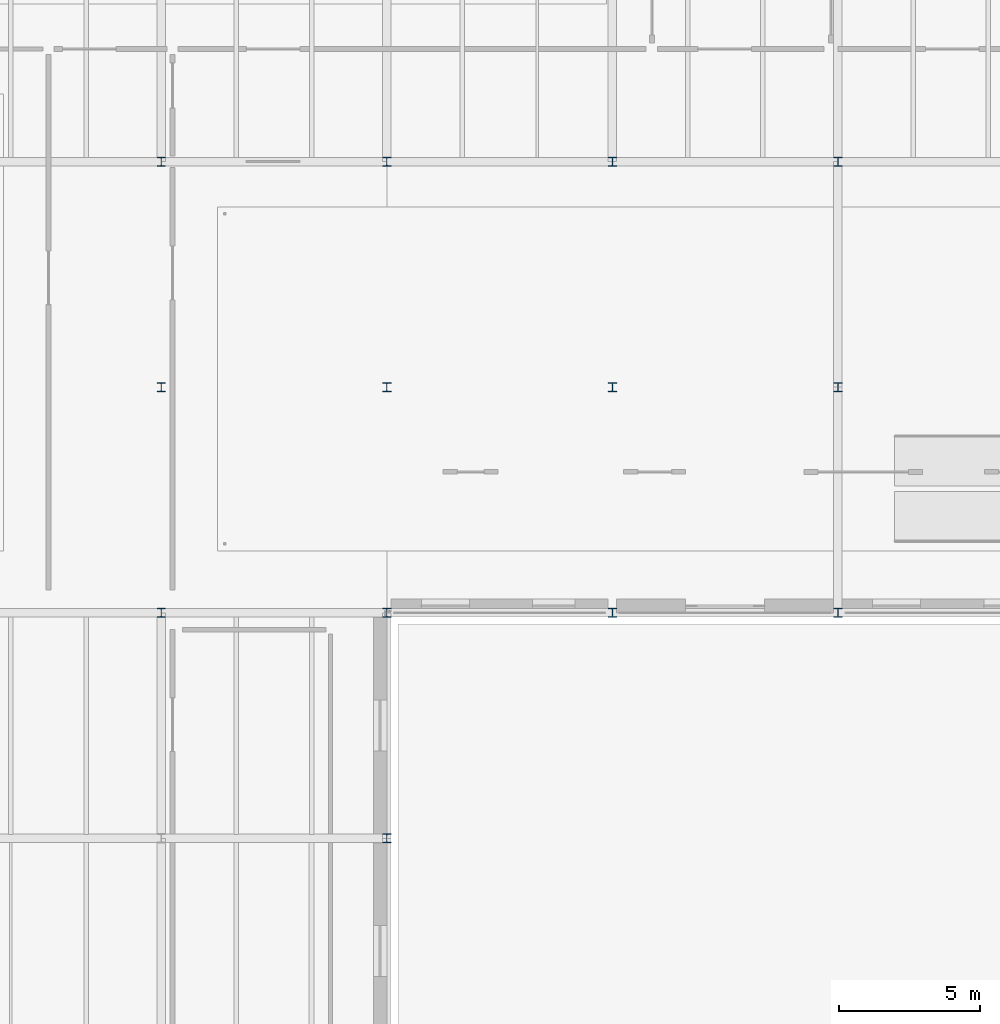
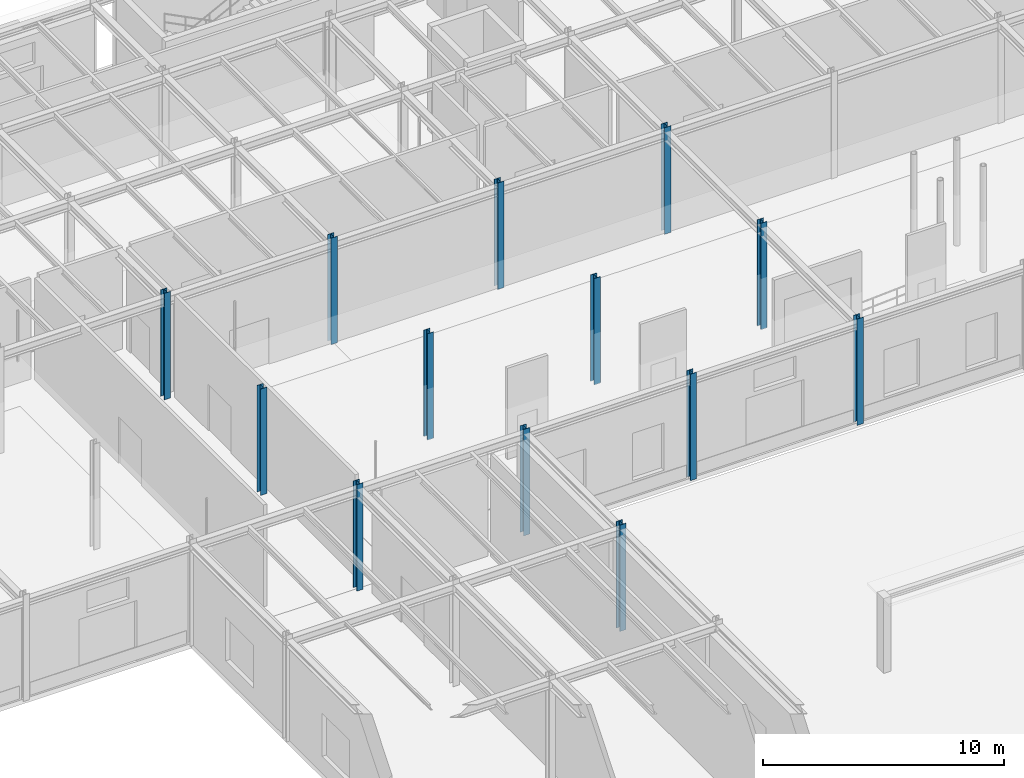
# One storey, part 11 of 129: 13 columns.
"""IFC4 building model written with IfcOpenShell, lengths in metres."""

from ifc_helpers import new_model, si_unit, direction, frame, origin, origin_2d, place, context, subcontext, project, spatial, i_section, extrude, material, material_profile, profile_set, type_object, element, save


model = new_model("IFC4")

# Units and contexts
model_context = context("Model", 3, precision=1e-05, world=origin(), true_north=direction((0.0, 1.0)))
body_context = subcontext(model_context, "Body", "Model", "MODEL_VIEW")
ifc_project = project(units=[si_unit("LENGTHUNIT", "METRE"), si_unit("AREAUNIT", "SQUARE_METRE"), si_unit("VOLUMEUNIT", "CUBIC_METRE"), si_unit("PLANEANGLEUNIT", "RADIAN"), si_unit("MASSUNIT", "GRAM", prefix="KILO")], contexts=[model_context])

# Site, building, storey
site_placement = place(None, origin())
site = spatial("IfcSite", under=ifc_project, at=site_placement, CompositionType="ELEMENT")
building_placement = place(site_placement, origin())
building = spatial("IfcBuilding", under=site, at=building_placement, Name="Sundkrona Museum", CompositionType="ELEMENT")
storey_placement = place(building_placement, origin())
storey = spatial("IfcBuildingStorey", under=building, at=storey_placement, Name="L00", CompositionType="ELEMENT", Elevation=0.0)

# Columns
ifc_material = material(Name="Steel S355J2", Category="steel")
ifc_material_profile = material_profile(ifc_material, i_section(OverallWidth=0.300048828125, OverallDepth=0.320068359375, WebThickness=0.011474609375, FlangeThickness=0.0205078125, FilletRadius=0.027099609375, at=origin_2d()), Name="HEB 320")
ifc_profile_set = profile_set([ifc_material_profile], Name="Steel S355J2")
column_type = type_object("IfcColumnType", Name="C-HEB320", PredefinedType="COLUMN", material=ifc_profile_set)
for number, where, z_axis, x_axis, name in (
    (1, (32.0, 78.0, 0.0), (0.0, 0.0, 1.0), (1.0, 0.0, 0.0), "L00 Column L/5"),
    (2, (32.0, 86.0, 0.0), (0.0, 0.0, 1.0), (1.0, 0.0, 0.0), "L00 Column M/5"),
    (3, (32.0, 94.0, 0.0), (0.0, 0.0, 1.0), (1.0, 0.0, 0.0), "L00 Column N/5"),
    (4, (40.0, 70.0, 0.0), (0.0, 0.0, 1.0), (1.0, 0.0, 0.0), "L00 Column K/6"),
    (5, (40.0, 78.0, 0.0), (0.0, 0.0, 1.0), (1.0, 0.0, 0.0), "L00 Column L/6"),
    (6, (40.0, 86.0, 0.0), (0.0, 0.0, 1.0), (1.0, 0.0, 0.0), "L00 Column M/6"),
    (7, (40.0, 94.0, 0.0), (0.0, 0.0, 1.0), (1.0, 0.0, 0.0), "L00 Column N/6"),
    (8, (48.0, 78.0, 0.0), (0.0, 0.0, 1.0), (1.0, 0.0, 0.0), "L00 Column L/7"),
    (9, (48.0, 86.0, 0.0), (0.0, 0.0, 1.0), (1.0, 0.0, 0.0), "L00 Column M/7"),
    (10, (48.0, 94.0, 0.0), (0.0, 0.0, 1.0), (1.0, 0.0, 0.0), "L00 Column N/7"),
    (11, (56.0, 78.0, 0.0), (0.0, 0.0, 1.0), (1.0, 0.0, 0.0), "L00 Column L/8"),
    (12, (56.0, 86.0, 0.0), (0.0, 0.0, 1.0), (1.0, 0.0, 0.0), "L00 Column M/8"),
    (13, (56.0, 94.0, 0.0), (0.0, 0.0, 1.0), (1.0, 0.0, 0.0), "L00 Column N/8"),
):
    element("IfcColumn", number, at=place(storey_placement, frame(where, z_axis=z_axis, x_axis=x_axis)), inside=storey, type_object=column_type, Name=name, PredefinedType="COLUMN", context=body_context, shape_type="SweptSolid", body=[
        extrude(i_section(OverallWidth=0.300048828125, OverallDepth=0.320068359375, WebThickness=0.011474609375, FlangeThickness=0.0205078125, FilletRadius=0.027099609375, at=origin_2d()), origin(), (0.0, 0.0, 1.0), 5.39990234375),
    ])

save(model, "model.ifc")
